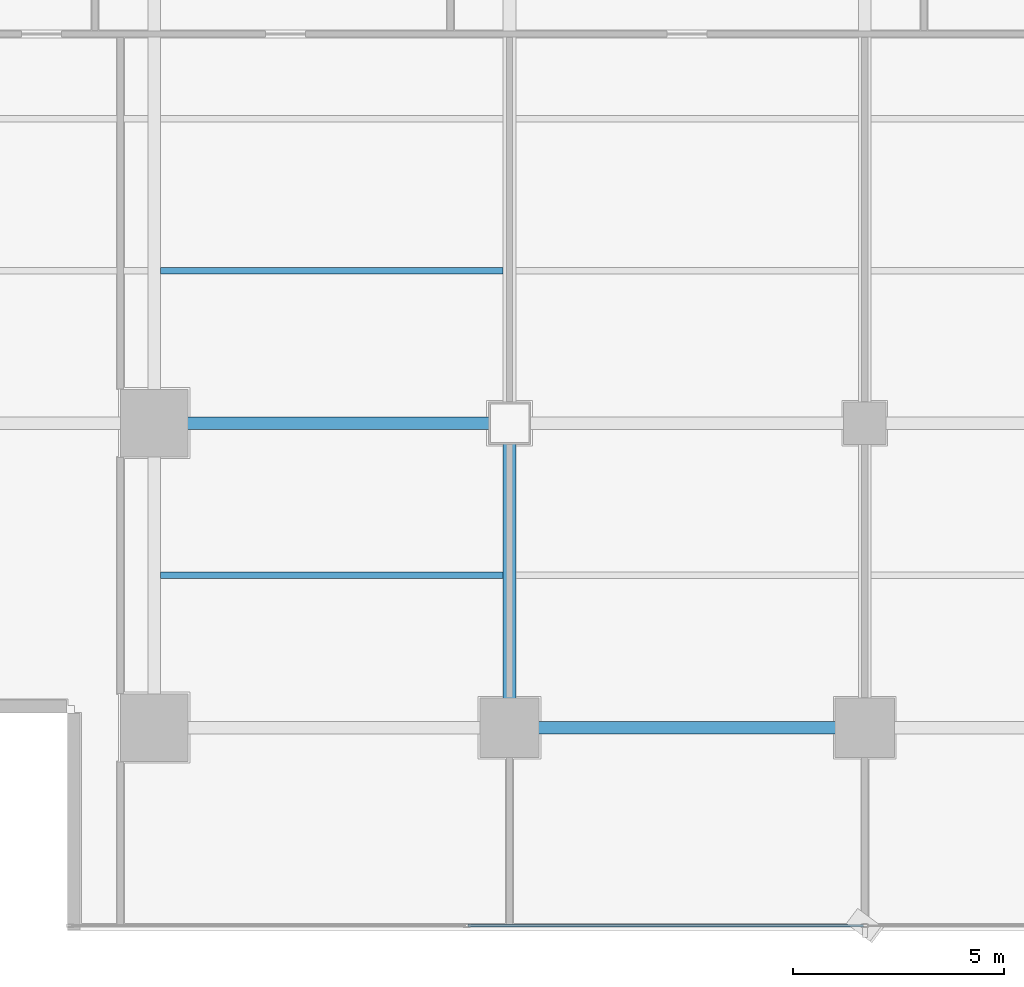
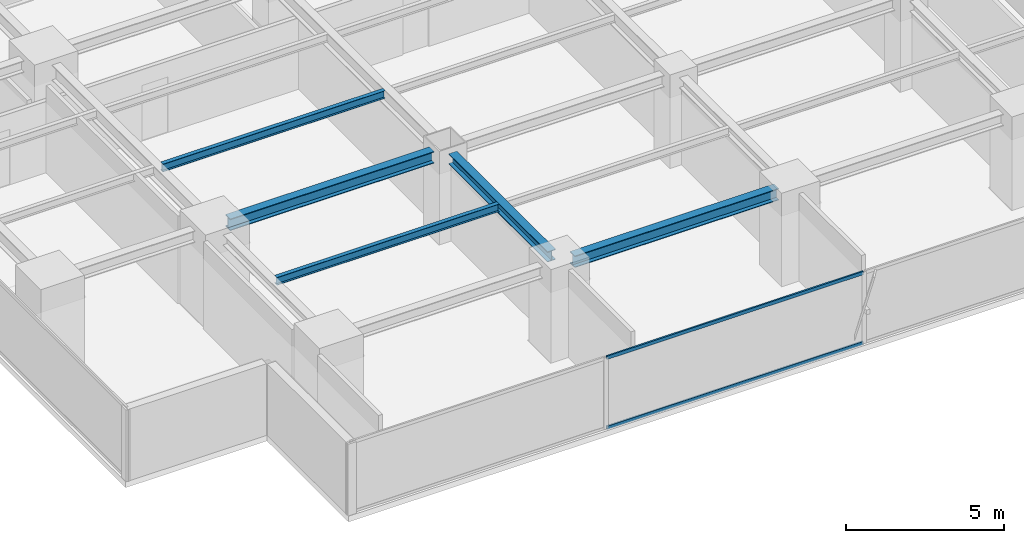
# One storey, part 4 of 28: 5 beams, 2 members, 1 element without a shape of its own.
"""IFC4 building model written with IfcOpenShell, lengths in metres."""

from ifc_helpers import new_model, si_unit, direction, frame, origin, origin_2d, place, context, subcontext, project, spatial, hollow_rectangle, i_section, extrude, source, transform, mapped, material, layer, layer_set, material_profile, profile_set, type_object, element, aggregate, save


model = new_model("IFC4")

# Units and contexts
model_context = context("Model", 3, precision=1e-05, world=origin(), true_north=direction((0.0, 1.0)))
body_context = subcontext(model_context, "Body", "Model", "MODEL_VIEW")
ifc_project = project(units=[si_unit("LENGTHUNIT", "METRE"), si_unit("AREAUNIT", "SQUARE_METRE"), si_unit("VOLUMEUNIT", "CUBIC_METRE"), si_unit("PLANEANGLEUNIT", "RADIAN"), si_unit("MASSUNIT", "GRAM", prefix="KILO")], contexts=[model_context])

# Site, building, storey
site_placement = place(None, origin())
site = spatial("IfcSite", under=ifc_project, at=site_placement, CompositionType="ELEMENT")
building_placement = place(site_placement, origin())
building = spatial("IfcBuilding", under=site, at=building_placement, Name="Sumidabori Civic Tower", CompositionType="ELEMENT")
storey_placement = place(building_placement, frame((0.0, 0.0, 149.60009765625)))
storey = spatial("IfcBuildingStorey", under=building, at=storey_placement, Name="L38", CompositionType="ELEMENT", Elevation=149.60009765625)

# Beams
ifc_material_1 = material(Name="Steel SN490", Category="steel")
ifc_material_profile_1 = material_profile(ifc_material_1, i_section(OverallWidth=0.300048828125, OverallDepth=0.39990234375, WebThickness=0.013427734375, FlangeThickness=0.02392578125, at=origin_2d()), Name="HE 400 B")
ifc_profile_set_1 = profile_set([ifc_material_profile_1], Name="Steel SN490")
beam_type_1 = type_object("IfcBeamType", Name="BM-GIRD-400", PredefinedType="BEAM", material=ifc_profile_set_1)
shared_shape_1 = source(origin(), body_context, "Body", "SweptSolid", [
    extrude(i_section(OverallWidth=0.300048828125, OverallDepth=0.39990234375, WebThickness=0.013427734375, FlangeThickness=0.02392578125, at=origin_2d()), origin(), (0.0, 0.0, 1.0), 6.239990234375),
])
beam_1_placement = place(storey_placement, frame((-8.39990234375, -17.52001953125, 3.179931640625), z_axis=(0.0, 1.0, 0.0), x_axis=(-1.0, 0.0, 0.0)))
element("IfcBeam", 1, at=beam_1_placement, inside=storey, type_object=beam_type_1, Name="Primary Girder L38 GY-26", PredefinedType="BEAM", context=body_context, shape_type="MappedRepresentation", body=[
    mapped(shared_shape_1, transform((0.0, 0.0, 0.0), x_axis=(1.0, 0.0, 0.0), y_axis=(0.0, 1.0, 0.0), z_axis=(0.0, 0.0, 1.0), scale=1.0)),
])
ifc_material_profile_2 = material_profile(ifc_material_1, i_section(OverallWidth=0.14990234375, OverallDepth=0.300048828125, WebThickness=0.007080078125, FlangeThickness=0.0107421875, at=origin_2d()), Name="IPE 300")
ifc_profile_set_2 = profile_set([ifc_material_profile_2], Name="Steel SN490")
beam_type_2 = type_object("IfcBeamType", Name="BM-JST-300", PredefinedType="JOIST", material=ifc_profile_set_2)
shared_shape_2 = source(origin(), body_context, "Body", "SweptSolid", [
    extrude(i_section(OverallWidth=0.14990234375, OverallDepth=0.300048828125, WebThickness=0.007080078125, FlangeThickness=0.0107421875, at=origin_2d()), origin(), (0.0, 0.0, 1.0), 8.099853515625),
])
for number, where, z_axis, x_axis, name in (
    (2, (-16.64990234375, -14.39990234375, 3.22998046875), (1.0, 0.0, 0.0), (0.0, 1.0, 0.0), "South Bay Floor Joist L38 JSTS-49"),
    (3, (-16.64990234375, -7.199951171875, 3.22998046875), (1.0, 0.0, 0.0), (0.0, 1.0, 0.0), "South Bay Floor Joist L38 JSTS-53"),
):
    element("IfcBeam", number, at=place(storey_placement, frame(where, z_axis=z_axis, x_axis=x_axis)), inside=storey, type_object=beam_type_2, Name=name, PredefinedType="JOIST", context=body_context, shape_type="MappedRepresentation", body=[
        mapped(shared_shape_2, transform((0.0, 0.0, 0.0), x_axis=(1.0, 0.0, 0.0), y_axis=(0.0, 1.0, 0.0), z_axis=(0.0, 0.0, 1.0), scale=1.0)),
    ])
ifc_material_profile_3 = material_profile(ifc_material_1, i_section(OverallWidth=0.300048828125, OverallDepth=0.449951171875, WebThickness=0.013916015625, FlangeThickness=0.02587890625, at=origin_2d()), Name="HE 450 B")
ifc_profile_set_3 = profile_set([ifc_material_profile_3], Name="Steel SN490")
beam_type_3 = type_object("IfcBeamType", Name="BM-GIRD-450", PredefinedType="BEAM", material=ifc_profile_set_3)
shared_shape_3 = source(origin(), body_context, "Body", "SweptSolid", [
    extrude(i_section(OverallWidth=0.300048828125, OverallDepth=0.449951171875, WebThickness=0.013916015625, FlangeThickness=0.02587890625, at=origin_2d()), origin(), (0.0, 0.0, 1.0), 7.440185546875),
])
beam_2_placement = place(storey_placement, frame((-16.320068359375, -10.800048828125, 3.15478515625), z_axis=(1.0, 0.0, 0.0), x_axis=(0.0, 1.0, 0.0)))
element("IfcBeam", 4, at=beam_2_placement, inside=storey, type_object=beam_type_3, Name="Primary Girder L38 GX-06", PredefinedType="BEAM", context=body_context, shape_type="MappedRepresentation", body=[
    mapped(shared_shape_3, transform((0.0, 0.0, 0.0), x_axis=(1.0, 0.0, 0.0), y_axis=(0.0, 1.0, 0.0), z_axis=(0.0, 0.0, 1.0), scale=1.0)),
])
shared_shape_4 = source(origin(), body_context, "Body", "SweptSolid", [
    extrude(i_section(OverallWidth=0.300048828125, OverallDepth=0.449951171875, WebThickness=0.013916015625, FlangeThickness=0.02587890625, at=origin_2d()), origin(), (0.0, 0.0, 1.0), 7.43994140625),
])
beam_3_placement = place(storey_placement, frame((-7.919921875, -18.0, 3.15478515625), z_axis=(1.0, 0.0, 0.0), x_axis=(0.0, 1.0, 0.0)))
element("IfcBeam", 5, at=beam_3_placement, inside=storey, type_object=beam_type_3, Name="Primary Girder L38 GX-02", PredefinedType="BEAM", context=body_context, shape_type="MappedRepresentation", body=[
    mapped(shared_shape_4, transform((0.0, 0.0, 0.0), x_axis=(1.0, 0.0, 0.0), y_axis=(0.0, 1.0, 0.0), z_axis=(0.0, 0.0, 1.0), scale=1.0)),
])

# Curtain wall, members
ifc_material_2 = material(Name="Anodised Bronze Aluminium AW-6063-T6", Category="aluminium")
ifc_layer = layer(ifc_material_2, 0.179931640625, Name="Anodised Bronze Aluminium AW-6063-T6")
ifc_layer_set = layer_set([ifc_layer], Name="Anodised Bronze Aluminium AW-6063-T6")
curtain_wall_type = type_object("IfcCurtainWallType", Name="CW-SYS-3", PredefinedType="NOTDEFINED", material=ifc_layer_set)
curtain_wall_placement = place(storey_placement, origin())
curtain_wall = element("IfcCurtainWall", 6, at=curtain_wall_placement, inside=storey, type_object=curtain_wall_type, Name="Curtain Wall CW:L38:R01", PredefinedType="NOTDEFINED")
ifc_material_profile_4 = material_profile(ifc_material_2, hollow_rectangle(XDim=0.06005859375, YDim=0.1298828125, WallThickness=0.0048828125, at=origin_2d()), Name="ALU TRANSOM 130x60")
ifc_profile_set_4 = profile_set([ifc_material_profile_4], Name="Anodised Bronze Aluminium AW-6063-T6")
member_type = type_object("IfcMemberType", Name="CW-TRN-130", PredefinedType="USERDEFINED", material=ifc_profile_set_4)
shared_shape_5 = source(origin(), body_context, "Body", "SweptSolid", [
    extrude(hollow_rectangle(XDim=0.06005859375, YDim=0.1298828125, WallThickness=0.0048828125, at=origin_2d()), origin(), (0.0, 0.0, 1.0), 9.344970703125),
])
member_1_placement = place(storey_placement, frame((-9.37744140625, -22.679931640625, 0.02978515625), z_axis=(1.0, 0.0, 0.0), x_axis=(0.0, 1.0, 0.0)))
member_1 = element("IfcMember", 7, at=member_1_placement, type_object=member_type, Name="CW-3 transom 2.1", ObjectType="TRANSOM", PredefinedType="USERDEFINED", context=body_context, shape_type="MappedRepresentation", body=[
    mapped(shared_shape_5, transform((0.0, 0.0, 0.0), x_axis=(1.0, 0.0, 0.0), y_axis=(0.0, 1.0, 0.0), z_axis=(0.0, 0.0, 1.0), scale=1.0)),
])
member_2_placement = place(storey_placement, frame((-9.37744140625, -22.679931640625, 2.72998046875), z_axis=(1.0, 0.0, 0.0), x_axis=(0.0, 1.0, 0.0)))
member_2 = element("IfcMember", 8, at=member_2_placement, type_object=member_type, Name="CW-3 transom 2.2", ObjectType="TRANSOM", PredefinedType="USERDEFINED", context=body_context, shape_type="MappedRepresentation", body=[
    mapped(shared_shape_5, transform((0.0, 0.0, 0.0), x_axis=(1.0, 0.0, 0.0), y_axis=(0.0, 1.0, 0.0), z_axis=(0.0, 0.0, 1.0), scale=1.0)),
])
aggregate(curtain_wall, [member_1, member_2])

save(model, "model.ifc")
